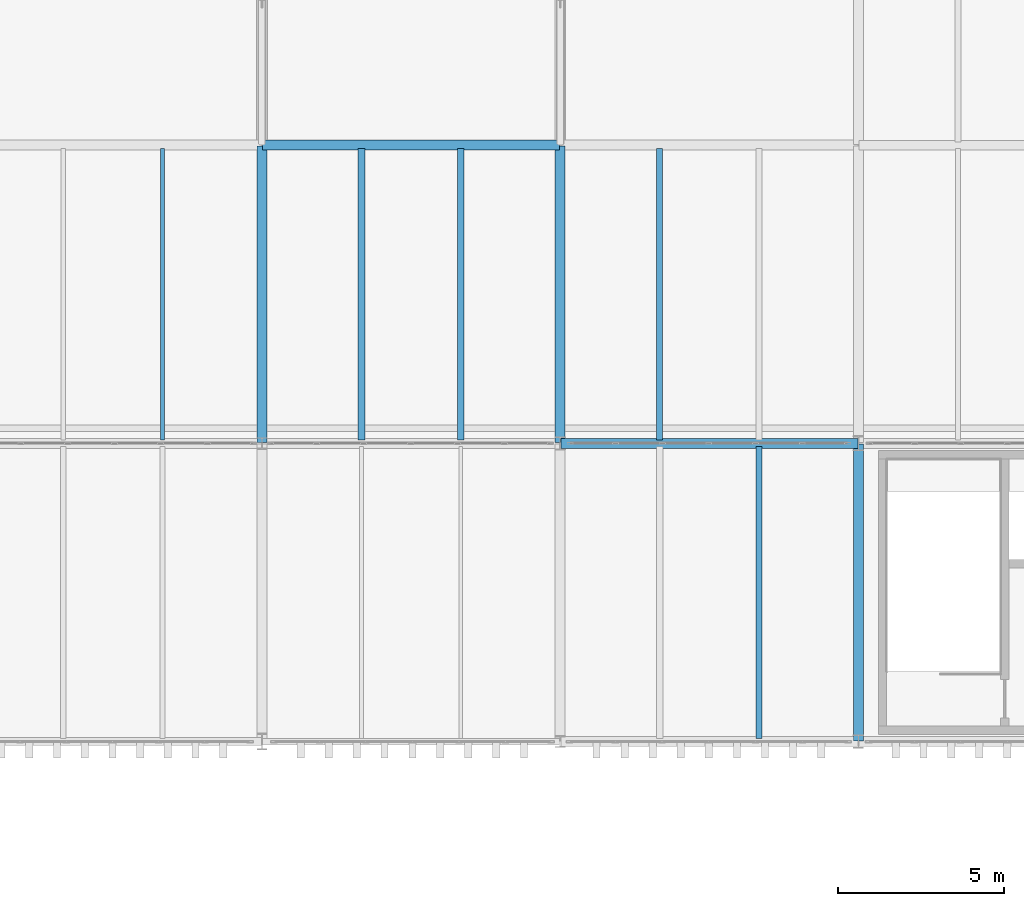
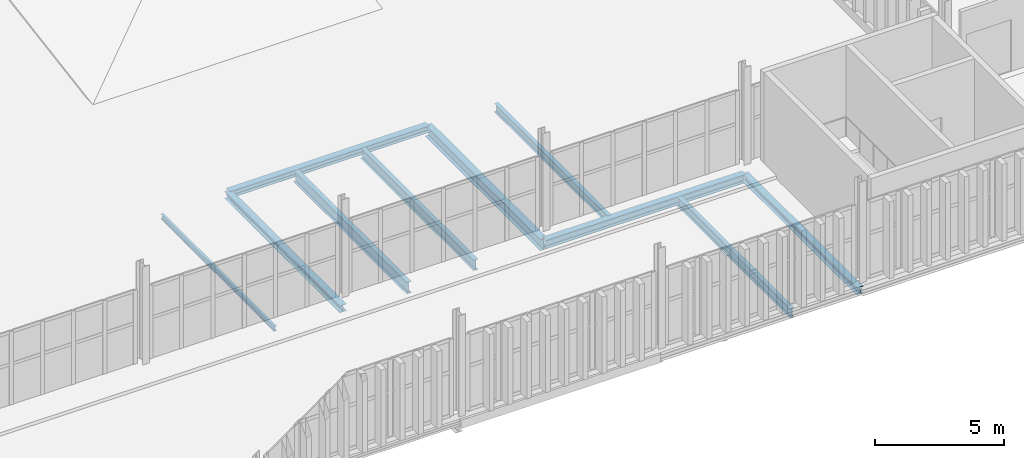
# One storey, part 43 of 196: 10 beams.
"""IFC4 building model written with IfcOpenShell, lengths in metres."""

import ifcopenshell
import ifcopenshell.guid

model = None  # the IFC model being written
_history = None  # IfcOwnerHistory: only IFC2X3 demands one
_inside = {}  # id of a spatial element -> (the spatial element, [elements in it])
_under = {}  # id of a project, library or spatial element -> (it, [spatial elements below it])
_declared = {}  # id of a project -> (the project, [libraries it declares])
_typed = {}  # id of a type object -> (the type object, [elements of that type])
_made_of = {}  # id of a material, layer set ... -> (it, [elements and type objects made of it])


def new_model(schema):
    """Start an empty IFC model of exactly this schema.

    Asked for "IFC4X3", IfcOpenShell would pick the latest addendum, in which some entities
    have other attributes; the version numbers below select the first issue.
    IFC2X3 requires an IfcOwnerHistory on every rooted entity: one is made here for all.
    """
    global model, _history
    if schema == "IFC4X3":
        model = ifcopenshell.file(schema_version=(4, 3, 0, 0))
    else:
        model = ifcopenshell.file(schema=schema)
    _inside.clear()
    _under.clear()
    _declared.clear()
    _typed.clear()
    _made_of.clear()
    _history = None
    if model.schema == "IFC2X3":
        org = make("IfcOrganization", Name="unknown")
        user = make(
            "IfcPersonAndOrganization",
            ThePerson=make("IfcPerson", FamilyName="unknown"),
            TheOrganization=org,
        )
        app = make(
            "IfcApplication",
            ApplicationDeveloper=org,
            Version="unknown",
            ApplicationFullName="unknown",
            ApplicationIdentifier="unknown",
        )
        _history = make(
            "IfcOwnerHistory",
            OwningUser=user,
            OwningApplication=app,
            ChangeAction="ADDED",
            CreationDate=0,
        )
    return model


def make(cls, **values):
    """One entity of the class cls with the attributes given. An attribute that is None is left unset."""
    return model.create_entity(
        cls, **{name: value for name, value in values.items() if value is not None}
    )


def rooted(cls, **values):
    """An entity with a GlobalId (a new one), such as an element, a storey or a relation."""
    return make(cls, GlobalId=ifcopenshell.guid.new(), OwnerHistory=_history, **values)


def si_unit(unit_type, name, prefix=None):
    """IfcSIUnit, for example si_unit("LENGTHUNIT", "METRE", prefix="MILLI")."""
    return make("IfcSIUnit", UnitType=unit_type, Prefix=prefix, Name=name)


def assignment(units):
    """IfcUnitAssignment: the units of a project."""
    return None if units is None else make("IfcUnitAssignment", Units=units)


def point(xyz):
    """IfcCartesianPoint."""
    return None if xyz is None else make("IfcCartesianPoint", Coordinates=xyz)


def direction(xyz):
    """IfcDirection."""
    return None if xyz is None else make("IfcDirection", DirectionRatios=xyz)


def frame(location, z_axis=None, x_axis=None):
    """IfcAxis2Placement3D, a coordinate frame: its origin and axes. An axis left out is left unset."""
    return make(
        "IfcAxis2Placement3D",
        Location=point(location),
        Axis=direction(z_axis),
        RefDirection=direction(x_axis),
    )


def frame_2d(location, x_axis=None):
    """IfcAxis2Placement2D, a coordinate frame in the plane: its origin and x axis."""
    return make(
        "IfcAxis2Placement2D", Location=point(location), RefDirection=direction(x_axis)
    )


def origin():
    """The frame at (0, 0, 0) with its axes left unset."""
    return frame((0.0, 0.0, 0.0))


def origin_2d():
    """The frame at (0, 0) in the plane with its x axis left unset."""
    return frame_2d((0.0, 0.0))


def place(relative_to, where):
    """IfcLocalPlacement: puts the frame where relative to a parent placement (None: the world)."""
    return make(
        "IfcLocalPlacement", PlacementRelTo=relative_to, RelativePlacement=where
    )


def context(
    kind, dimensions, precision=None, world=None, true_north=None, identifier=None
):
    """IfcGeometricRepresentationContext, for example the 3D "Model" context."""
    return make(
        "IfcGeometricRepresentationContext",
        ContextIdentifier=identifier,
        ContextType=kind,
        CoordinateSpaceDimension=dimensions,
        Precision=precision,
        WorldCoordinateSystem=world,
        TrueNorth=true_north,
    )


def subcontext(parent, identifier, kind, view, scale=None):
    """IfcGeometricRepresentationSubContext, for example "Body" below "Model"."""
    return make(
        "IfcGeometricRepresentationSubContext",
        ContextIdentifier=identifier,
        ContextType=kind,
        ParentContext=parent,
        TargetScale=scale,
        TargetView=view,
    )


def project(units=None, contexts=None):
    """IfcProject with its units and contexts."""
    return rooted(
        "IfcProject",
        Name="project",
        RepresentationContexts=contexts,
        UnitsInContext=assignment(units),
    )


def spatial(cls, under=None, at=None, **own):
    """A site, building, storey or space (cls), placed at a placement, below another one or the project."""
    s = rooted(cls, ObjectPlacement=at, **own)
    if under is not None:
        _under.setdefault(under.id(), (under, []))[1].append(s)
    return s


def profile(cls, at=None, kind="AREA", **sizes):
    """A parametric profile (cls). Its sizes go by their IFC names, for example OverallWidth=200.0."""
    return make(cls, ProfileType=kind, Position=at, **sizes)


def i_section(**sizes):
    """IfcIShapeProfileDef."""
    return profile("IfcIShapeProfileDef", **sizes)


def extrude(swept, where, along, depth):
    """IfcExtrudedAreaSolid: the profile swept, set in the frame where, extruded along a direction by depth."""
    return make(
        "IfcExtrudedAreaSolid",
        SweptArea=swept,
        Position=where,
        ExtrudedDirection=direction(along),
        Depth=depth,
    )


def shape(context_of_items, identifier, shape_type, items):
    """IfcShapeRepresentation: the items that make up one representation, for example the "Body"."""
    return make(
        "IfcShapeRepresentation",
        ContextOfItems=context_of_items,
        RepresentationIdentifier=identifier,
        RepresentationType=shape_type,
        Items=items,
    )


def material(Name=None, Category=None):
    """IfcMaterial."""
    return make("IfcMaterial", Name=Name, Category=Category)


def material_profile(
    of_material, cross_section, Name=None, Category=None, Priority=None
):
    """IfcMaterialProfile: a cross section and its material."""
    return make(
        "IfcMaterialProfile",
        Name=Name,
        Material=of_material,
        Profile=cross_section,
        Priority=Priority,
        Category=Category,
    )


def profile_set(profiles, Name=None, composite=None):
    """IfcMaterialProfileSet."""
    return make(
        "IfcMaterialProfileSet",
        Name=Name,
        MaterialProfiles=profiles,
        CompositeProfile=composite,
    )


def made_of(thing, what):
    """Note that an element or type object is made of a material, layer set ...; save() writes the relation."""
    if what is not None:
        _made_of.setdefault(what.id(), (what, []))[1].append(thing)
    return thing


def type_object(cls, material=None, **own):
    """A type object (cls), such as IfcWallType, which elements share."""
    return made_of(rooted(cls, **own), material)


def element(
    cls,
    number,
    at=None,
    inside=None,
    cuts=None,
    type_object=None,
    material=None,
    context=None,
    identifier="Body",
    shape_type=None,
    held_by="IfcProductDefinitionShape",
    body=None,
    shapes=None,
    **own,
):
    """One element of the class cls, such as IfcWall. Its Tag is "e" and its number.

    at: its placement. inside: the storey or other place that contains it. cuts: it is an
    opening in that element (IfcRelVoidsElement). A single representation is given by context,
    identifier, shape_type and body (its items); several are given by shapes. held_by: the class
    of the entity that holds the representations. save() writes the other relations.
    """
    e = rooted(cls, Tag="e%d" % number, ObjectPlacement=at, **own)
    if body is not None:
        shapes = [shape(context, identifier, shape_type, body)]
    if shapes is not None:
        e.Representation = make(held_by, Representations=shapes)
    if inside is not None:
        _inside.setdefault(inside.id(), (inside, []))[1].append(e)
    if cuts is not None:
        rooted(
            "IfcRelVoidsElement", RelatingBuildingElement=cuts, RelatedOpeningElement=e
        )
    if type_object is not None:
        _typed.setdefault(type_object.id(), (type_object, []))[1].append(e)
    return made_of(e, material)


def aggregate(whole, parts):
    """IfcRelAggregates: a whole, such as a stair, and the parts it consists of."""
    return rooted("IfcRelAggregates", RelatingObject=whole, RelatedObjects=parts)


def save(model, path):
    """Write the relations noted so far, then the file.

    IfcRelAggregates (storeys below a building ...), IfcRelContainedInSpatialStructure (elements
    in a storey), IfcRelDefinesByType, IfcRelAssociatesMaterial and IfcRelDeclares: one each for
    every whole, place, type object, material and project.
    """
    for whole, parts in _under.values():
        aggregate(whole, parts)
    for where, things in _inside.values():
        rooted(
            "IfcRelContainedInSpatialStructure",
            RelatedElements=things,
            RelatingStructure=where,
        )
    for kind, things in _typed.values():
        rooted("IfcRelDefinesByType", RelatedObjects=things, RelatingType=kind)
    for what, things in _made_of.values():
        rooted("IfcRelAssociatesMaterial", RelatedObjects=things, RelatingMaterial=what)
    for by, libraries in _declared.values():
        rooted("IfcRelDeclares", RelatingContext=by, RelatedDefinitions=libraries)
    model.write(path)


model = new_model("IFC4")

# Units and contexts
model_context = context("Model", 3, precision=1e-05, world=origin(), true_north=direction((0.0, 1.0)))
body_context = subcontext(model_context, "Body", "Model", "MODEL_VIEW")
ifc_project = project(units=[si_unit("LENGTHUNIT", "METRE"), si_unit("AREAUNIT", "SQUARE_METRE"), si_unit("VOLUMEUNIT", "CUBIC_METRE"), si_unit("PLANEANGLEUNIT", "RADIAN"), si_unit("MASSUNIT", "GRAM", prefix="KILO")], contexts=[model_context])

# Site, building, storey
site_placement = place(None, origin())
site = spatial("IfcSite", under=ifc_project, at=site_placement, CompositionType="ELEMENT")
building_placement = place(site_placement, origin())
building = spatial("IfcBuilding", under=site, at=building_placement, Name="Barlavento Convention Centre", CompositionType="ELEMENT")
storey_placement = place(building_placement, frame((0.0, 0.0, 18.0)))
storey = spatial("IfcBuildingStorey", under=building, at=storey_placement, Name="L03", CompositionType="ELEMENT", Elevation=18.0)

# Beams
ifc_material = material(Name="Steel S355", Category="steel")
ifc_material_profile_1 = material_profile(ifc_material, i_section(OverallWidth=0.1201171875, OverallDepth=0.239990234375, WebThickness=0.006103515625, FlangeThickness=0.009765625, FilletRadius=0.014892578125, at=origin_2d()), Name="IPE 240")
ifc_profile_set_1 = profile_set([ifc_material_profile_1], Name="Steel S355")
beam_type_1 = type_object("IfcBeamType", Name="STR-BM-JST-IPE240", PredefinedType="JOIST", material=ifc_profile_set_1)
beam_1_placement = place(storey_placement, frame((96.0, 54.094970703125, -0.465087890625), z_axis=(0.0, 1.0, 0.0), x_axis=(-1.0, 0.0, 0.0)))
element("IfcBeam", 1, at=beam_1_placement, inside=storey, type_object=beam_type_1, Name="L03 composite floor joist SJ09", PredefinedType="JOIST", context=body_context, shape_type="SweptSolid", body=[
    extrude(i_section(OverallWidth=0.1201171875, OverallDepth=0.239990234375, WebThickness=0.006103515625, FlangeThickness=0.009765625, FilletRadius=0.014892578125, at=origin_2d()), origin(), (0.0, 0.0, 1.0), 8.81005859375),
])
ifc_material_profile_2 = material_profile(ifc_material, i_section(OverallWidth=0.179931640625, OverallDepth=0.39990234375, WebThickness=0.008544921875, FlangeThickness=0.013427734375, FilletRadius=0.02099609375, at=origin_2d()), Name="IPE 400")
ifc_profile_set_2 = profile_set([ifc_material_profile_2], Name="Steel S355")
beam_type_2 = type_object("IfcBeamType", Name="STR-BM-JST-IPE400", PredefinedType="JOIST", material=ifc_profile_set_2)
beam_2_placement = place(storey_placement, frame((111.0, 54.094970703125, -0.544921875), z_axis=(0.0, 1.0, 0.0), x_axis=(-1.0, 0.0, 0.0)))
element("IfcBeam", 2, at=beam_2_placement, inside=storey, type_object=beam_type_2, Name="L03 composite floor joist SJ04", PredefinedType="JOIST", context=body_context, shape_type="SweptSolid", body=[
    extrude(i_section(OverallWidth=0.179931640625, OverallDepth=0.39990234375, WebThickness=0.008544921875, FlangeThickness=0.013427734375, FilletRadius=0.02099609375, at=origin_2d()), origin(), (0.0, 0.0, 1.0), 8.81005859375),
])
ifc_material_profile_3 = material_profile(ifc_material, i_section(OverallWidth=0.18994140625, OverallDepth=0.449951171875, WebThickness=0.009521484375, FlangeThickness=0.0146484375, FilletRadius=0.02099609375, at=origin_2d()), Name="IPE 450")
ifc_profile_set_3 = profile_set([ifc_material_profile_3], Name="Steel S355")
beam_type_3 = type_object("IfcBeamType", Name="STR-BM-JST-IPE450", PredefinedType="JOIST", material=ifc_profile_set_3)
beam_3_placement = place(storey_placement, frame((114.0, 45.094970703125, -0.570068359375), z_axis=(0.0, 1.0, 0.0), x_axis=(-1.0, 0.0, 0.0)))
element("IfcBeam", 3, at=beam_3_placement, inside=storey, type_object=beam_type_3, Name="L03 composite floor joist SJ03", PredefinedType="JOIST", context=body_context, shape_type="SweptSolid", body=[
    extrude(i_section(OverallWidth=0.18994140625, OverallDepth=0.449951171875, WebThickness=0.009521484375, FlangeThickness=0.0146484375, FilletRadius=0.02099609375, at=origin_2d()), origin(), (0.0, 0.0, 1.0), 8.81005859375),
])
ifc_material_profile_4 = material_profile(ifc_material, i_section(OverallWidth=0.199951171875, OverallDepth=0.5, WebThickness=0.01025390625, FlangeThickness=0.01611328125, FilletRadius=0.02099609375, at=origin_2d()), Name="IPE 500")
ifc_profile_set_4 = profile_set([ifc_material_profile_4], Name="Steel S355")
beam_type_4 = type_object("IfcBeamType", Name="STR-BM-JST-IPE500", PredefinedType="JOIST", material=ifc_profile_set_4)
beam_4_placement = place(storey_placement, frame((105.0, 54.094970703125, -0.594970703125), z_axis=(0.0, 1.0, 0.0), x_axis=(-1.0, 0.0, 0.0)))
element("IfcBeam", 4, at=beam_4_placement, inside=storey, type_object=beam_type_4, Name="L03 composite floor joist SJ02", PredefinedType="JOIST", context=body_context, shape_type="SweptSolid", body=[
    extrude(i_section(OverallWidth=0.199951171875, OverallDepth=0.5, WebThickness=0.01025390625, FlangeThickness=0.01611328125, FilletRadius=0.02099609375, at=origin_2d()), origin(), (0.0, 0.0, 1.0), 8.81005859375),
])
ifc_material_profile_5 = material_profile(ifc_material, i_section(OverallWidth=0.2099609375, OverallDepth=0.550048828125, WebThickness=0.010986328125, FlangeThickness=0.01708984375, FilletRadius=0.02392578125, at=origin_2d()), Name="IPE 550")
ifc_profile_set_5 = profile_set([ifc_material_profile_5], Name="Steel S355")
beam_type_5 = type_object("IfcBeamType", Name="STR-BM-JST-IPE550", PredefinedType="JOIST", material=ifc_profile_set_5)
beam_5_placement = place(storey_placement, frame((102.0, 54.094970703125, -0.6201171875), z_axis=(0.0, 1.0, 0.0), x_axis=(-1.0, 0.0, 0.0)))
element("IfcBeam", 5, at=beam_5_placement, inside=storey, type_object=beam_type_5, Name="L03 composite floor joist SJ01", PredefinedType="JOIST", context=body_context, shape_type="SweptSolid", body=[
    extrude(i_section(OverallWidth=0.2099609375, OverallDepth=0.550048828125, WebThickness=0.010986328125, FlangeThickness=0.01708984375, FilletRadius=0.02392578125, at=origin_2d()), origin(), (0.0, 0.0, 1.0), 8.81005859375),
])
ifc_material_profile_6 = material_profile(ifc_material, i_section(OverallWidth=0.300048828125, OverallDepth=0.330078125, WebThickness=0.009521484375, FlangeThickness=0.0166015625, FilletRadius=0.027099609375, at=origin_2d()), Name="HEA 340")
ifc_profile_set_6 = profile_set([ifc_material_profile_6], Name="Steel S355")
beam_type_6 = type_object("IfcBeamType", Name="STR-BM-PRI-HEA340", PredefinedType="BEAM", material=ifc_profile_set_6)
for number, where, z_axis, x_axis, name in (
    (6, (117.0, 45.02001953125, -0.510009765625), (0.0, 1.0, 0.0), (-1.0, 0.0, 0.0), "L03 grid girder BG24"),
    (7, (99.0, 54.02001953125, -0.510009765625), (0.0, 1.0, 0.0), (-1.0, 0.0, 0.0), "L03 grid girder BG24"),
):
    element("IfcBeam", number, at=place(storey_placement, frame(where, z_axis=z_axis, x_axis=x_axis)), inside=storey, type_object=beam_type_6, Name=name, PredefinedType="BEAM", context=body_context, shape_type="SweptSolid", body=[
        extrude(i_section(OverallWidth=0.300048828125, OverallDepth=0.330078125, WebThickness=0.009521484375, FlangeThickness=0.0166015625, FilletRadius=0.027099609375, at=origin_2d()), origin(), (0.0, 0.0, 1.0), 8.9599609375),
    ])
ifc_material_profile_7 = material_profile(ifc_material, i_section(OverallWidth=0.300048828125, OverallDepth=0.5400390625, WebThickness=0.012451171875, FlangeThickness=0.02392578125, FilletRadius=0.027099609375, at=origin_2d()), Name="HEA 550")
ifc_profile_set_7 = profile_set([ifc_material_profile_7], Name="Steel S355")
beam_type_7 = type_object("IfcBeamType", Name="STR-BM-PRI-HEA550", PredefinedType="BEAM", material=ifc_profile_set_7)
beam_6_placement = place(storey_placement, frame((108.0, 54.02001953125, -0.614990234375), z_axis=(0.0, 1.0, 0.0), x_axis=(-1.0, 0.0, 0.0)))
element("IfcBeam", 8, at=beam_6_placement, inside=storey, type_object=beam_type_7, Name="L03 grid girder BG19", PredefinedType="BEAM", context=body_context, shape_type="SweptSolid", body=[
    extrude(i_section(OverallWidth=0.300048828125, OverallDepth=0.5400390625, WebThickness=0.012451171875, FlangeThickness=0.02392578125, FilletRadius=0.027099609375, at=origin_2d()), origin(), (0.0, 0.0, 1.0), 8.9599609375),
])
ifc_material_profile_8 = material_profile(ifc_material, i_section(OverallWidth=0.300048828125, OverallDepth=0.320068359375, WebThickness=0.011474609375, FlangeThickness=0.0205078125, FilletRadius=0.027099609375, at=origin_2d()), Name="HEB 320")
ifc_profile_set_8 = profile_set([ifc_material_profile_8], Name="Steel S355")
beam_type_8 = type_object("IfcBeamType", Name="STR-BM-PRI-HEB320", PredefinedType="BEAM", material=ifc_profile_set_8)
beam_7_placement = place(storey_placement, frame((99.02001953125, 63.0, -0.5048828125), z_axis=(1.0, 0.0, 0.0), x_axis=(0.0, 1.0, 0.0)))
element("IfcBeam", 9, at=beam_7_placement, inside=storey, type_object=beam_type_8, Name="L03 primary girder BG13", PredefinedType="BEAM", context=body_context, shape_type="SweptSolid", body=[
    extrude(i_section(OverallWidth=0.300048828125, OverallDepth=0.320068359375, WebThickness=0.011474609375, FlangeThickness=0.0205078125, FilletRadius=0.027099609375, at=origin_2d()), origin(), (0.0, 0.0, 1.0), 8.9599609375),
])
ifc_material_profile_9 = material_profile(ifc_material, i_section(OverallWidth=0.300048828125, OverallDepth=0.39990234375, WebThickness=0.013427734375, FlangeThickness=0.02392578125, FilletRadius=0.027099609375, at=origin_2d()), Name="HEB 400")
ifc_profile_set_9 = profile_set([ifc_material_profile_9], Name="Steel S355")
beam_type_9 = type_object("IfcBeamType", Name="STR-BM-PRI-HEB400", PredefinedType="BEAM", material=ifc_profile_set_9)
beam_8_placement = place(storey_placement, frame((108.02001953125, 54.0, -0.544921875), z_axis=(1.0, 0.0, 0.0), x_axis=(0.0, 1.0, 0.0)))
element("IfcBeam", 10, at=beam_8_placement, inside=storey, type_object=beam_type_9, Name="L03 primary girder BG11", PredefinedType="BEAM", context=body_context, shape_type="SweptSolid", body=[
    extrude(i_section(OverallWidth=0.300048828125, OverallDepth=0.39990234375, WebThickness=0.013427734375, FlangeThickness=0.02392578125, FilletRadius=0.027099609375, at=origin_2d()), origin(), (0.0, 0.0, 1.0), 8.9599609375),
])

save(model, "model.ifc")
